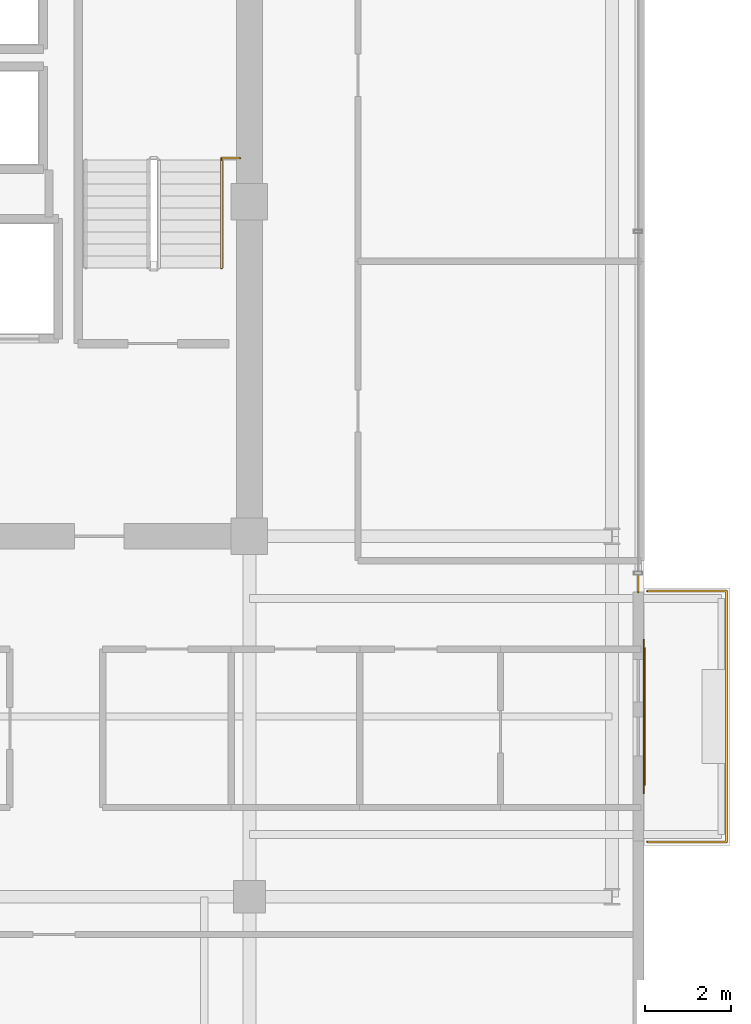
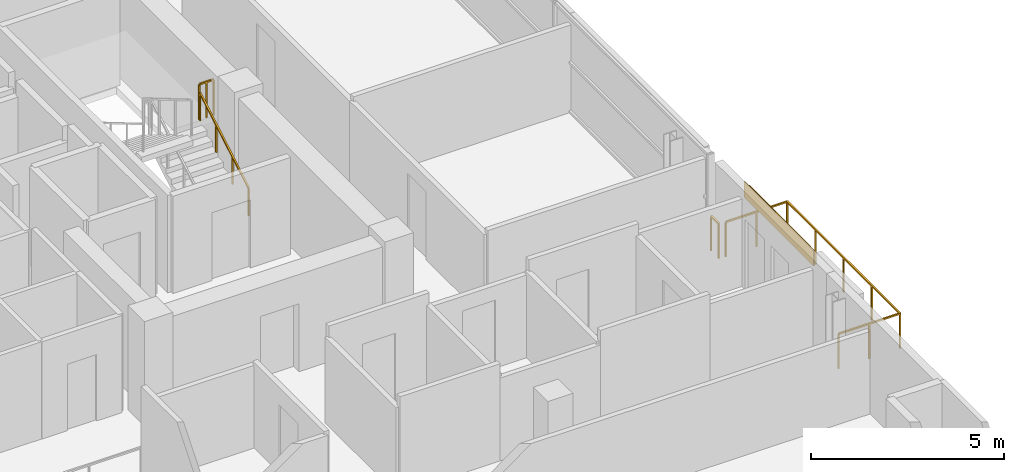
# One storey, part 21 of 22: 4 railings, 1 covering, 1 shading device.
"""IFC4 building model written with IfcOpenShell, lengths in metres."""

import ifcopenshell
import ifcopenshell.guid

model = None  # the IFC model being written
_history = None  # IfcOwnerHistory: only IFC2X3 demands one
_inside = {}  # id of a spatial element -> (the spatial element, [elements in it])
_under = {}  # id of a project, library or spatial element -> (it, [spatial elements below it])
_declared = {}  # id of a project -> (the project, [libraries it declares])
_typed = {}  # id of a type object -> (the type object, [elements of that type])
_made_of = {}  # id of a material, layer set ... -> (it, [elements and type objects made of it])


def new_model(schema):
    """Start an empty IFC model of exactly this schema.

    Asked for "IFC4X3", IfcOpenShell would pick the latest addendum, in which some entities
    have other attributes; the version numbers below select the first issue.
    IFC2X3 requires an IfcOwnerHistory on every rooted entity: one is made here for all.
    """
    global model, _history
    if schema == "IFC4X3":
        model = ifcopenshell.file(schema_version=(4, 3, 0, 0))
    else:
        model = ifcopenshell.file(schema=schema)
    _inside.clear()
    _under.clear()
    _declared.clear()
    _typed.clear()
    _made_of.clear()
    _history = None
    if model.schema == "IFC2X3":
        org = make("IfcOrganization", Name="unknown")
        user = make(
            "IfcPersonAndOrganization",
            ThePerson=make("IfcPerson", FamilyName="unknown"),
            TheOrganization=org,
        )
        app = make(
            "IfcApplication",
            ApplicationDeveloper=org,
            Version="unknown",
            ApplicationFullName="unknown",
            ApplicationIdentifier="unknown",
        )
        _history = make(
            "IfcOwnerHistory",
            OwningUser=user,
            OwningApplication=app,
            ChangeAction="ADDED",
            CreationDate=0,
        )
    return model


def make(cls, **values):
    """One entity of the class cls with the attributes given. An attribute that is None is left unset."""
    return model.create_entity(
        cls, **{name: value for name, value in values.items() if value is not None}
    )


def rooted(cls, **values):
    """An entity with a GlobalId (a new one), such as an element, a storey or a relation."""
    return make(cls, GlobalId=ifcopenshell.guid.new(), OwnerHistory=_history, **values)


def si_unit(unit_type, name, prefix=None):
    """IfcSIUnit, for example si_unit("LENGTHUNIT", "METRE", prefix="MILLI")."""
    return make("IfcSIUnit", UnitType=unit_type, Prefix=prefix, Name=name)


def assignment(units):
    """IfcUnitAssignment: the units of a project."""
    return None if units is None else make("IfcUnitAssignment", Units=units)


def point(xyz):
    """IfcCartesianPoint."""
    return None if xyz is None else make("IfcCartesianPoint", Coordinates=xyz)


def direction(xyz):
    """IfcDirection."""
    return None if xyz is None else make("IfcDirection", DirectionRatios=xyz)


def frame(location, z_axis=None, x_axis=None):
    """IfcAxis2Placement3D, a coordinate frame: its origin and axes. An axis left out is left unset."""
    return make(
        "IfcAxis2Placement3D",
        Location=point(location),
        Axis=direction(z_axis),
        RefDirection=direction(x_axis),
    )


def frame_2d(location, x_axis=None):
    """IfcAxis2Placement2D, a coordinate frame in the plane: its origin and x axis."""
    return make(
        "IfcAxis2Placement2D", Location=point(location), RefDirection=direction(x_axis)
    )


def origin():
    """The frame at (0, 0, 0) with its axes left unset."""
    return frame((0.0, 0.0, 0.0))


def origin_2d():
    """The frame at (0, 0) in the plane with its x axis left unset."""
    return frame_2d((0.0, 0.0))


def place(relative_to, where):
    """IfcLocalPlacement: puts the frame where relative to a parent placement (None: the world)."""
    return make(
        "IfcLocalPlacement", PlacementRelTo=relative_to, RelativePlacement=where
    )


def context(
    kind, dimensions, precision=None, world=None, true_north=None, identifier=None
):
    """IfcGeometricRepresentationContext, for example the 3D "Model" context."""
    return make(
        "IfcGeometricRepresentationContext",
        ContextIdentifier=identifier,
        ContextType=kind,
        CoordinateSpaceDimension=dimensions,
        Precision=precision,
        WorldCoordinateSystem=world,
        TrueNorth=true_north,
    )


def subcontext(parent, identifier, kind, view, scale=None):
    """IfcGeometricRepresentationSubContext, for example "Body" below "Model"."""
    return make(
        "IfcGeometricRepresentationSubContext",
        ContextIdentifier=identifier,
        ContextType=kind,
        ParentContext=parent,
        TargetScale=scale,
        TargetView=view,
    )


def project(units=None, contexts=None):
    """IfcProject with its units and contexts."""
    return rooted(
        "IfcProject",
        Name="project",
        RepresentationContexts=contexts,
        UnitsInContext=assignment(units),
    )


def spatial(cls, under=None, at=None, **own):
    """A site, building, storey or space (cls), placed at a placement, below another one or the project."""
    s = rooted(cls, ObjectPlacement=at, **own)
    if under is not None:
        _under.setdefault(under.id(), (under, []))[1].append(s)
    return s


def profile(cls, at=None, kind="AREA", **sizes):
    """A parametric profile (cls). Its sizes go by their IFC names, for example OverallWidth=200.0."""
    return make(cls, ProfileType=kind, Position=at, **sizes)


def rectangle(**sizes):
    """IfcRectangleProfileDef."""
    return profile("IfcRectangleProfileDef", **sizes)


def extrude(swept, where, along, depth):
    """IfcExtrudedAreaSolid: the profile swept, set in the frame where, extruded along a direction by depth."""
    return make(
        "IfcExtrudedAreaSolid",
        SweptArea=swept,
        Position=where,
        ExtrudedDirection=direction(along),
        Depth=depth,
    )


def shape(context_of_items, identifier, shape_type, items):
    """IfcShapeRepresentation: the items that make up one representation, for example the "Body"."""
    return make(
        "IfcShapeRepresentation",
        ContextOfItems=context_of_items,
        RepresentationIdentifier=identifier,
        RepresentationType=shape_type,
        Items=items,
    )


def source(mapping_origin, context_of_items, identifier, shape_type, items):
    """IfcRepresentationMap: a shape defined once, which mapped items show again and again."""
    return make(
        "IfcRepresentationMap",
        MappingOrigin=mapping_origin,
        MappedRepresentation=shape(context_of_items, identifier, shape_type, items),
    )


def transform(
    local_origin,
    x_axis=None,
    y_axis=None,
    z_axis=None,
    scale=None,
    scale2=None,
    scale3=None,
    uniform=True,
):
    """IfcCartesianTransformationOperator3D, or its non-uniform kind. x_axis, y_axis, z_axis: its Axis1, 2, 3."""
    if uniform:
        return make(
            "IfcCartesianTransformationOperator3D",
            Axis1=direction(x_axis),
            Axis2=direction(y_axis),
            LocalOrigin=point(local_origin),
            Scale=scale,
            Axis3=direction(z_axis),
        )
    return make(
        "IfcCartesianTransformationOperator3DnonUniform",
        Axis1=direction(x_axis),
        Axis2=direction(y_axis),
        LocalOrigin=point(local_origin),
        Scale=scale,
        Axis3=direction(z_axis),
        Scale2=scale2,
        Scale3=scale3,
    )


def mapped(mapping_source, mapping_target):
    """IfcMappedItem: shows the shape of a source again, moved by a transform."""
    return make(
        "IfcMappedItem", MappingSource=mapping_source, MappingTarget=mapping_target
    )


def material(Name=None, Category=None):
    """IfcMaterial."""
    return make("IfcMaterial", Name=Name, Category=Category)


def layer(
    of_material, thickness, ventilated=None, Name=None, Category=None, Priority=None
):
    """IfcMaterialLayer: one layer of a wall or slab, of a material (None: an air gap)."""
    return make(
        "IfcMaterialLayer",
        Material=of_material,
        LayerThickness=thickness,
        IsVentilated=ventilated,
        Name=Name,
        Category=Category,
        Priority=Priority,
    )


def layer_set(layers, Name=None):
    """IfcMaterialLayerSet."""
    return make("IfcMaterialLayerSet", MaterialLayers=layers, LayerSetName=Name)


def made_of(thing, what):
    """Note that an element or type object is made of a material, layer set ...; save() writes the relation."""
    if what is not None:
        _made_of.setdefault(what.id(), (what, []))[1].append(thing)
    return thing


def type_object(cls, material=None, **own):
    """A type object (cls), such as IfcWallType, which elements share."""
    return made_of(rooted(cls, **own), material)


def element(
    cls,
    number,
    at=None,
    inside=None,
    cuts=None,
    type_object=None,
    material=None,
    context=None,
    identifier="Body",
    shape_type=None,
    held_by="IfcProductDefinitionShape",
    body=None,
    shapes=None,
    **own,
):
    """One element of the class cls, such as IfcWall. Its Tag is "e" and its number.

    at: its placement. inside: the storey or other place that contains it. cuts: it is an
    opening in that element (IfcRelVoidsElement). A single representation is given by context,
    identifier, shape_type and body (its items); several are given by shapes. held_by: the class
    of the entity that holds the representations. save() writes the other relations.
    """
    e = rooted(cls, Tag="e%d" % number, ObjectPlacement=at, **own)
    if body is not None:
        shapes = [shape(context, identifier, shape_type, body)]
    if shapes is not None:
        e.Representation = make(held_by, Representations=shapes)
    if inside is not None:
        _inside.setdefault(inside.id(), (inside, []))[1].append(e)
    if cuts is not None:
        rooted(
            "IfcRelVoidsElement", RelatingBuildingElement=cuts, RelatedOpeningElement=e
        )
    if type_object is not None:
        _typed.setdefault(type_object.id(), (type_object, []))[1].append(e)
    return made_of(e, material)


def aggregate(whole, parts):
    """IfcRelAggregates: a whole, such as a stair, and the parts it consists of."""
    return rooted("IfcRelAggregates", RelatingObject=whole, RelatedObjects=parts)


def save(model, path):
    """Write the relations noted so far, then the file.

    IfcRelAggregates (storeys below a building ...), IfcRelContainedInSpatialStructure (elements
    in a storey), IfcRelDefinesByType, IfcRelAssociatesMaterial and IfcRelDeclares: one each for
    every whole, place, type object, material and project.
    """
    for whole, parts in _under.values():
        aggregate(whole, parts)
    for where, things in _inside.values():
        rooted(
            "IfcRelContainedInSpatialStructure",
            RelatedElements=things,
            RelatingStructure=where,
        )
    for kind, things in _typed.values():
        rooted("IfcRelDefinesByType", RelatedObjects=things, RelatingType=kind)
    for what, things in _made_of.values():
        rooted("IfcRelAssociatesMaterial", RelatedObjects=things, RelatingMaterial=what)
    for by, libraries in _declared.values():
        rooted("IfcRelDeclares", RelatingContext=by, RelatedDefinitions=libraries)
    model.write(path)


model = new_model("IFC4")

# Units and contexts
model_context = context("Model", 3, precision=1e-05, world=origin(), true_north=direction((0.0, 1.0)))
body_context = subcontext(model_context, "Body", "Model", "MODEL_VIEW")
ifc_project = project(units=[si_unit("LENGTHUNIT", "METRE"), si_unit("AREAUNIT", "SQUARE_METRE"), si_unit("VOLUMEUNIT", "CUBIC_METRE"), si_unit("PLANEANGLEUNIT", "RADIAN"), si_unit("MASSUNIT", "GRAM", prefix="KILO")], contexts=[model_context])

# Site, building, storey
site_placement = place(None, origin())
site = spatial("IfcSite", under=ifc_project, at=site_placement, CompositionType="ELEMENT")
building_placement = place(site_placement, origin())
building = spatial("IfcBuilding", under=site, at=building_placement, Name="Zarnakvel Exchange Tower", CompositionType="ELEMENT")
storey_placement = place(building_placement, frame((0.0, 0.0, 251.800048828125)))
storey = spatial("IfcBuildingStorey", under=building, at=storey_placement, Name="L71", CompositionType="ELEMENT", Elevation=251.800048828125)

# Railings
ifc_material_1 = material(Name="Architectural Bronze Anodised Aluminium", Category="aluminium")
railing_type_1 = type_object("IfcRailingType", Name="GR-02", PredefinedType="GUARDRAIL", material=ifc_material_1)
railing_1_placement = place(storey_placement, frame((23.679931640625, -8.320068359375, -0.03515625)))
element("IfcRailing", 1, at=railing_1_placement, inside=storey, type_object=railing_type_1, Name="L71 Balcony Guardrail BAL-L71-E", PredefinedType="GUARDRAIL", context=body_context, shape_type="SweptSolid", body=[
    extrude(rectangle(XDim=0.048095703125, YDim=0.048095703125, at=origin_2d()), frame((0.0, 0.0, 1.09619140625), z_axis=(1.0, 0.0, 0.0), x_axis=(0.0, 1.0, 0.0)), (0.0, 0.0, 1.0), 1.840087890625),
    extrude(rectangle(XDim=0.048095703125, YDim=0.048095703125, at=origin_2d()), frame((1.840087890625, 0.0, 1.09619140625), z_axis=(0.0, 1.0, 0.0), x_axis=(-1.0, 0.0, 0.0)), (0.0, 0.0, 1.0), 5.840087890625),
    extrude(rectangle(XDim=0.048095703125, YDim=0.048095703125, at=origin_2d()), frame((1.840087890625, 5.840087890625, 1.09619140625), z_axis=(-1.0, 0.0, 0.0), x_axis=(0.0, -1.0, 0.0)), (0.0, 0.0, 1.0), 1.840087890625),
    extrude(rectangle(XDim=0.0419921875, YDim=0.0419921875, at=origin_2d()), origin(), (0.0, 0.0, 1.0), 1.072021484375),
    extrude(rectangle(XDim=0.0419921875, YDim=0.0419921875, at=origin_2d()), frame((0.919921875, 0.0, 0.0)), (0.0, 0.0, 1.0), 1.072021484375),
    extrude(rectangle(XDim=0.0419921875, YDim=0.0419921875, at=origin_2d()), frame((1.840087890625, 0.0, 0.0)), (0.0, 0.0, 1.0), 1.072021484375),
    extrude(rectangle(XDim=0.0419921875, YDim=0.0419921875, at=origin_2d()), frame((1.840087890625, 1.4599609375, 0.0)), (0.0, 0.0, 1.0), 1.072021484375),
    extrude(rectangle(XDim=0.0419921875, YDim=0.0419921875, at=origin_2d()), frame((1.840087890625, 2.919921875, 0.0)), (0.0, 0.0, 1.0), 1.072021484375),
    extrude(rectangle(XDim=0.0419921875, YDim=0.0419921875, at=origin_2d()), frame((1.840087890625, 4.380126953125, 0.0)), (0.0, 0.0, 1.0), 1.072021484375),
    extrude(rectangle(XDim=0.0419921875, YDim=0.0419921875, at=origin_2d()), frame((1.840087890625, 5.840087890625, 0.0)), (0.0, 0.0, 1.0), 1.072021484375),
    extrude(rectangle(XDim=0.0419921875, YDim=0.0419921875, at=origin_2d()), frame((0.919921875, 5.840087890625, 0.0)), (0.0, 0.0, 1.0), 1.072021484375),
    extrude(rectangle(XDim=0.0419921875, YDim=0.0419921875, at=origin_2d()), frame((0.0, 5.840087890625, 0.0)), (0.0, 0.0, 1.0), 1.072021484375),
])
railing_2_placement = place(storey_placement, frame((23.4599609375, -2.10009765625, 0.0)))
element("IfcRailing", 2, at=railing_2_placement, inside=storey, type_object=railing_type_1, Name="L71 Corner Spandrel Balustrade #9", PredefinedType="GUARDRAIL", context=body_context, shape_type="SweptSolid", body=[
    extrude(rectangle(XDim=0.048095703125, YDim=0.048095703125, at=origin_2d()), frame((0.0, 0.0, 1.09619140625), z_axis=(0.0, -1.0, 0.0), x_axis=(1.0, 0.0, 0.0)), (0.0, 0.0, 1.0), 0.39990234375),
    extrude(rectangle(XDim=0.0419921875, YDim=0.0419921875, at=origin_2d()), origin(), (0.0, 0.0, 1.0), 1.072021484375),
    extrude(rectangle(XDim=0.0419921875, YDim=0.0419921875, at=origin_2d()), frame((0.0, -0.39990234375, 0.0)), (0.0, 0.0, 1.0), 1.072021484375),
])
ifc_material_2 = material(Name="Brushed Stainless Steel", Category="steel")
railing_type_2 = type_object("IfcRailingType", Name="HR-01", PredefinedType="HANDRAIL", material=ifc_material_2)
railing_3_placement = place(storey_placement, frame((13.75, 5.050048828125, 0.1650390625)))
element("IfcRailing", 3, at=railing_3_placement, inside=storey, type_object=railing_type_2, Name="L71 ST-02 stair handrail 1", PredefinedType="HANDRAIL", context=body_context, shape_type="SweptSolid", body=[
    extrude(rectangle(XDim=0.048095703125, YDim=0.048095703125, at=origin_2d()), frame((0.0, 0.0, 0.8759765625), z_axis=(0.0, 0.861560626758, 0.507654692109), x_axis=(-1.0, 0.0, 0.0)), (0.0, 0.0, 1.0), 2.925048828125),
    extrude(rectangle(XDim=0.0419921875, YDim=0.0419921875, at=origin_2d()), origin(), (0.0, 0.0, 1.0), 0.851806640625),
    extrude(rectangle(XDim=0.0419921875, YDim=0.0419921875, at=origin_2d()), frame((0.0, 0.840087890625, 0.494873046875)), (0.0, 0.0, 1.0), 0.851806640625),
    extrude(rectangle(XDim=0.0419921875, YDim=0.0419921875, at=origin_2d()), frame((0.0, 1.679931640625, 0.989990234375)), (0.0, 0.0, 1.0), 0.851806640625),
    extrude(rectangle(XDim=0.0419921875, YDim=0.0419921875, at=origin_2d()), frame((0.0, 2.52001953125, 1.48486328125)), (0.0, 0.0, 1.0), 0.851806640625),
])
railing_type_3 = type_object("IfcRailingType", Name="SG-01", PredefinedType="GUARDRAIL", material=ifc_material_1)
railing_4_placement = place(storey_placement, frame((13.75, 7.610107421875, 1.64990234375)))
element("IfcRailing", 4, at=railing_4_placement, inside=storey, type_object=railing_type_3, Name="L71 ST-02 Landing Slot Guardrail", PredefinedType="GUARDRAIL", context=body_context, shape_type="SweptSolid", body=[
    extrude(rectangle(XDim=0.048095703125, YDim=0.048095703125, at=origin_2d()), frame((0.0, 0.0, 1.1259765625), z_axis=(1.0, 0.0, 0.0), x_axis=(0.0, 1.0, 0.0)), (0.0, 0.0, 1.0), 0.429931640625),
    extrude(rectangle(XDim=0.0419921875, YDim=0.0419921875, at=origin_2d()), origin(), (0.0, 0.0, 1.0), 1.101806640625),
    extrude(rectangle(XDim=0.0419921875, YDim=0.0419921875, at=origin_2d()), frame((0.21484375, 0.0, 0.0)), (0.0, 0.0, 1.0), 1.101806640625),
    extrude(rectangle(XDim=0.0419921875, YDim=0.0419921875, at=origin_2d()), frame((0.429931640625, 0.0, 0.0)), (0.0, 0.0, 1.0), 1.101806640625),
])

# Shading device
ifc_material_3 = material(Name="Perforated Architectural Bronze Screen", Category="aluminium")
ifc_layer_1 = layer(ifc_material_3, 0.044921875)
ifc_layer_set_1 = layer_set([ifc_layer_1], Name="Perforated Architectural Bronze Screen")
shading_device_type = type_object("IfcShadingDeviceType", Name="SS-01", PredefinedType="JALOUSIE", material=ifc_layer_set_1)
shared_shape_1 = source(origin(), body_context, "Body", "SweptSolid", [
    extrude(rectangle(XDim=3.199951171875, YDim=0.044921875, at=origin_2d()), origin(), (0.0, 0.0, 1.0), 0.4951171875),
])
shading_device_placement = place(storey_placement, frame((23.6005859375, -5.39990234375, 2.559814453125), z_axis=(0.0, 0.0, 1.0), x_axis=(0.0, -1.0, 0.0)))
element("IfcShadingDevice", 5, at=shading_device_placement, inside=storey, type_object=shading_device_type, Name="L71 Bronze Solar Shading Screen SS-01", PredefinedType="JALOUSIE", context=body_context, shape_type="MappedRepresentation", body=[
    mapped(shared_shape_1, transform((0.0, 0.0, 0.0), x_axis=(1.0, 0.0, 0.0), y_axis=(0.0, 1.0, 0.0), z_axis=(0.0, 0.0, 1.0), scale=1.0)),
])

# Covering
ifc_material_4 = material(Name="Glazed Turquoise Ceramic Architectural Tile", Category="ceramic")
ifc_layer_2 = layer(ifc_material_4, 0.028076171875)
ifc_layer_set_2 = layer_set([ifc_layer_2], Name="Glazed Turquoise Ceramic Architectural Tile")
covering_type = type_object("IfcCoveringType", Name="CL-01", PredefinedType="CLADDING", material=ifc_layer_set_2)
shared_shape_2 = source(origin(), body_context, "Body", "SweptSolid", [
    extrude(rectangle(XDim=3.60009765625, YDim=0.028076171875, at=origin_2d()), origin(), (0.0, 0.0, 1.0), 0.4951171875),
])
covering_placement = place(storey_placement, frame((23.592041015625, -5.39990234375, 2.559814453125), z_axis=(0.0, 0.0, 1.0), x_axis=(0.0, -1.0, 0.0)))
element("IfcCovering", 6, at=covering_placement, inside=storey, type_object=covering_type, Name="L71 Ceramic Spandrel Tilework CL-01", PredefinedType="CLADDING", context=body_context, shape_type="MappedRepresentation", body=[
    mapped(shared_shape_2, transform((0.0, 0.0, 0.0), x_axis=(1.0, 0.0, 0.0), y_axis=(0.0, 1.0, 0.0), z_axis=(0.0, 0.0, 1.0), scale=1.0)),
])

save(model, "model.ifc")
